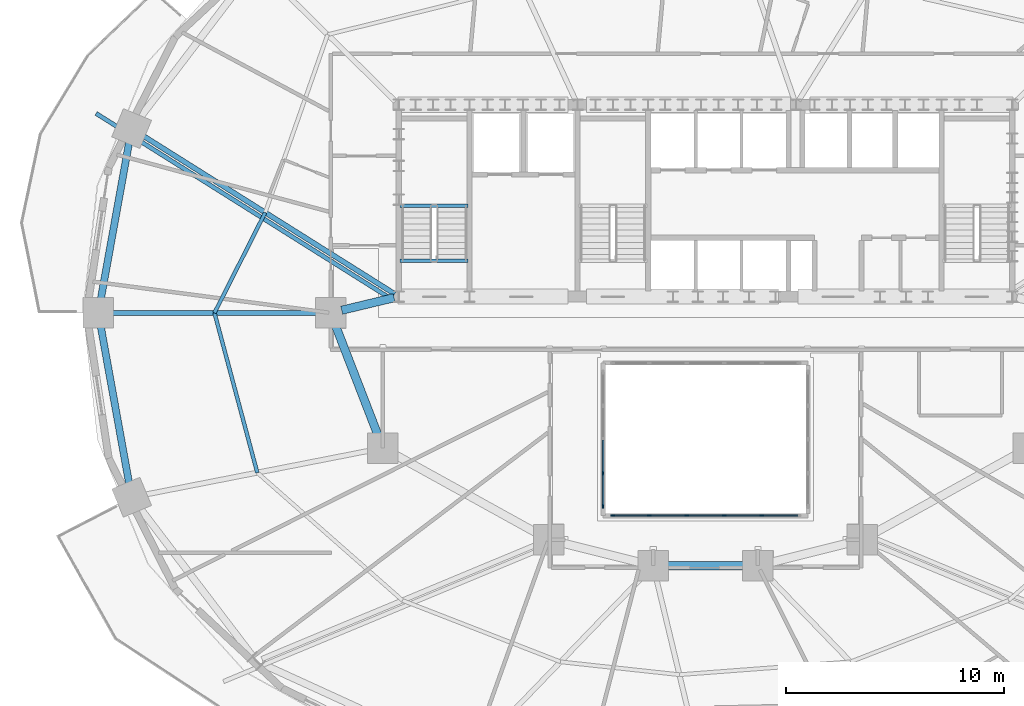
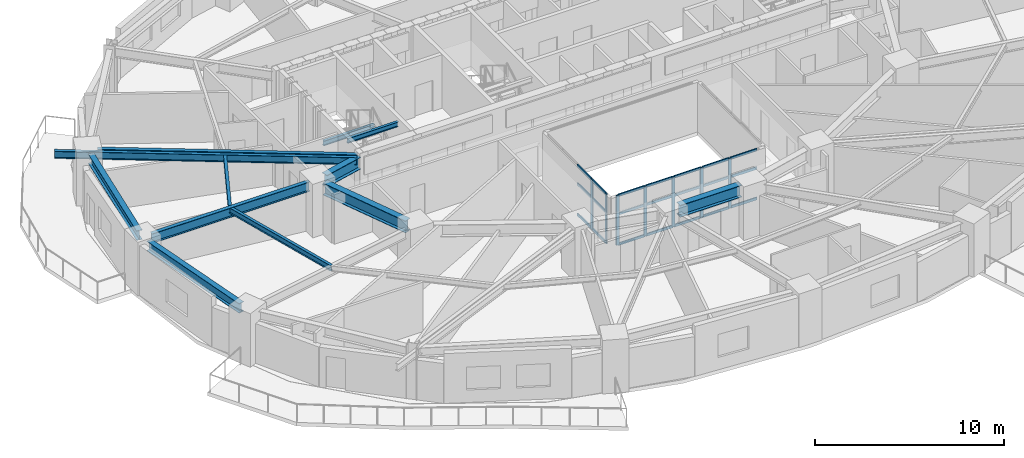
# One storey, part 3 of 16: 28 members, 12 beams, 2 elements without a shape of their own.
"""IFC4 building model written with IfcOpenShell, lengths in metres."""

from ifc_helpers import new_model, si_unit, direction, frame, origin, origin_2d, place, context, subcontext, project, spatial, rectangle, i_section, extrude, material, material_profile, profile_set, type_object, element, aggregate, save


model = new_model("IFC4")

# Units and contexts
model_context = context("Model", 3, precision=1e-05, world=origin(), true_north=direction((0.0, 1.0)))
body_context = subcontext(model_context, "Body", "Model", "MODEL_VIEW")
ifc_project = project(units=[si_unit("LENGTHUNIT", "METRE"), si_unit("AREAUNIT", "SQUARE_METRE"), si_unit("VOLUMEUNIT", "CUBIC_METRE"), si_unit("PLANEANGLEUNIT", "RADIAN"), si_unit("MASSUNIT", "GRAM", prefix="KILO")], contexts=[model_context])

# Site, building, storey
site_placement = place(None, origin())
site = spatial("IfcSite", under=ifc_project, at=site_placement, CompositionType="ELEMENT")
building_placement = place(site_placement, origin())
building = spatial("IfcBuilding", under=site, at=building_placement, Name="Haldorwick Loom Tower", CompositionType="ELEMENT")
storey_placement = place(building_placement, frame((0.0, 0.0, 88.699951171875)))
storey = spatial("IfcBuildingStorey", under=building, at=storey_placement, Name="L23", CompositionType="ELEMENT", Elevation=88.699951171875)

# Curtain wall, members
ifc_material_1 = material(Name="Thermally Broken Anodized Aluminium Curtain Wall Framing", Category="aluminium")
curtain_wall_type = type_object("IfcCurtainWallType", Name="ARC-CW-03", PredefinedType="NOTDEFINED", material=ifc_material_1)
curtain_wall_1_placement = place(storey_placement, origin())
curtain_wall_1 = element("IfcCurtainWall", 1, at=curtain_wall_1_placement, inside=storey, type_object=curtain_wall_type, Name="L23 Atrium Glazed Screen S", PredefinedType="NOTDEFINED")
ifc_material_profile_1 = material_profile(ifc_material_1, rectangle(XDim=0.06591796875, YDim=0.18505859375, at=origin_2d()), Name="ALU_MUL_66X185", Category="aluminium")
ifc_profile_set_1 = profile_set([ifc_material_profile_1], Name="Thermally Broken Anodized Aluminium Curtain Wall Framing")
member_type_1 = type_object("IfcMemberType", Name="ARC-CWM-03", PredefinedType="MULLION", material=ifc_profile_set_1)
member_1_placement = place(storey_placement, frame((38.580078125, 16.699951171875, 0.0), z_axis=(0.0, 0.0, 1.0), x_axis=(0.0, -1.0, 0.0)))
member_1 = element("IfcMember", 2, at=member_1_placement, type_object=member_type_1, Name="CW-03 mullion 2", PredefinedType="MULLION", context=body_context, shape_type="SweptSolid", body=[
    extrude(rectangle(XDim=0.06591796875, YDim=0.18505859375, at=origin_2d()), origin(), (0.0, 0.0, 1.0), 3.2099609375),
])
member_2_placement = place(storey_placement, frame((36.860107421875, 16.699951171875, 0.0), z_axis=(0.0, 0.0, 1.0), x_axis=(0.0, -1.0, 0.0)))
member_2 = element("IfcMember", 3, at=member_2_placement, type_object=member_type_1, Name="CW-03 mullion 3", PredefinedType="MULLION", context=body_context, shape_type="SweptSolid", body=[
    extrude(rectangle(XDim=0.06591796875, YDim=0.18505859375, at=origin_2d()), origin(), (0.0, 0.0, 1.0), 3.2099609375),
])
member_3_placement = place(storey_placement, frame((35.139892578125, 16.699951171875, 0.0), z_axis=(0.0, 0.0, 1.0), x_axis=(0.0, -1.0, 0.0)))
member_3 = element("IfcMember", 4, at=member_3_placement, type_object=member_type_1, Name="CW-03 mullion 4", PredefinedType="MULLION", context=body_context, shape_type="SweptSolid", body=[
    extrude(rectangle(XDim=0.06591796875, YDim=0.18505859375, at=origin_2d()), origin(), (0.0, 0.0, 1.0), 3.2099609375),
])
member_4_placement = place(storey_placement, frame((33.419921875, 16.699951171875, 0.0), z_axis=(0.0, 0.0, 1.0), x_axis=(0.0, -1.0, 0.0)))
member_4 = element("IfcMember", 5, at=member_4_placement, type_object=member_type_1, Name="CW-03 mullion 5", PredefinedType="MULLION", context=body_context, shape_type="SweptSolid", body=[
    extrude(rectangle(XDim=0.06591796875, YDim=0.18505859375, at=origin_2d()), origin(), (0.0, 0.0, 1.0), 3.2099609375),
])
member_5_placement = place(storey_placement, frame((31.73291015625, 16.699951171875, 0.0), z_axis=(0.0, 0.0, 1.0), x_axis=(0.0, -1.0, 0.0)))
member_5 = element("IfcMember", 6, at=member_5_placement, type_object=member_type_1, Name="CW-03 mullion 6", PredefinedType="MULLION", context=body_context, shape_type="SweptSolid", body=[
    extrude(rectangle(XDim=0.06591796875, YDim=0.18505859375, at=origin_2d()), origin(), (0.0, 0.0, 1.0), 3.2099609375),
])

curtain_wall_2_placement = place(storey_placement, origin())
curtain_wall_2 = element("IfcCurtainWall", 7, at=curtain_wall_2_placement, inside=storey, type_object=curtain_wall_type, Name="L23 Atrium Glazed Screen W", PredefinedType="NOTDEFINED")
member_6_placement = place(storey_placement, frame((31.300048828125, 17.133056640625, 0.0), z_axis=(0.0, 0.0, 1.0), x_axis=(-1.0, 0.0, 0.0)))
member_6 = element("IfcMember", 8, at=member_6_placement, type_object=member_type_1, Name="CW-03 mullion 1", PredefinedType="MULLION", context=body_context, shape_type="SweptSolid", body=[
    extrude(rectangle(XDim=0.06591796875, YDim=0.18505859375, at=origin_2d()), origin(), (0.0, 0.0, 1.0), 3.2099609375),
])
member_7_placement = place(storey_placement, frame((31.300048828125, 18.64990234375, 0.0), z_axis=(0.0, 0.0, 1.0), x_axis=(-1.0, 0.0, 0.0)))
member_7 = element("IfcMember", 9, at=member_7_placement, type_object=member_type_1, Name="CW-03 mullion 2", PredefinedType="MULLION", context=body_context, shape_type="SweptSolid", body=[
    extrude(rectangle(XDim=0.06591796875, YDim=0.18505859375, at=origin_2d()), origin(), (0.0, 0.0, 1.0), 3.2099609375),
])

# Member
ifc_material_profile_2 = material_profile(ifc_material_1, rectangle(XDim=0.06591796875, YDim=0.1650390625, at=origin_2d()), Name="ALU_TRN_66X165", Category="aluminium")
ifc_profile_set_2 = profile_set([ifc_material_profile_2], Name="Thermally Broken Anodized Aluminium Curtain Wall Framing")
member_type_2 = type_object("IfcMemberType", Name="ARC-CWT-03", PredefinedType="USERDEFINED", material=ifc_profile_set_2)
member_8_placement = place(storey_placement, frame((40.23388671875, 16.699951171875, 0.032958984375), z_axis=(-1.0, 0.0, 0.0), x_axis=(0.0, -1.0, 0.0)))
member_8 = element("IfcMember", 10, at=member_8_placement, type_object=member_type_2, Name="CW-03 transom 1.1", ObjectType="TRANSOM", PredefinedType="USERDEFINED", context=body_context, shape_type="SweptSolid", body=[
    extrude(rectangle(XDim=0.06591796875, YDim=0.1650390625, at=origin_2d()), origin(), (0.0, 0.0, 1.0), 1.620849609375),
])

member_9_placement = place(storey_placement, frame((40.23388671875, 16.699951171875, 2.0), z_axis=(-1.0, 0.0, 0.0), x_axis=(0.0, -1.0, 0.0)))
member_9 = element("IfcMember", 11, at=member_9_placement, type_object=member_type_2, Name="CW-03 transom 1.2", ObjectType="TRANSOM", PredefinedType="USERDEFINED", context=body_context, shape_type="SweptSolid", body=[
    extrude(rectangle(XDim=0.06591796875, YDim=0.1650390625, at=origin_2d()), origin(), (0.0, 0.0, 1.0), 1.620849609375),
])

member_10_placement = place(storey_placement, frame((40.23388671875, 16.699951171875, 3.177001953125), z_axis=(-1.0, 0.0, 0.0), x_axis=(0.0, -1.0, 0.0)))
member_10 = element("IfcMember", 12, at=member_10_placement, type_object=member_type_2, Name="CW-03 transom 1.3", ObjectType="TRANSOM", PredefinedType="USERDEFINED", context=body_context, shape_type="SweptSolid", body=[
    extrude(rectangle(XDim=0.06591796875, YDim=0.1650390625, at=origin_2d()), origin(), (0.0, 0.0, 1.0), 1.620849609375),
])

member_11_placement = place(storey_placement, frame((38.547119140625, 16.699951171875, 0.032958984375), z_axis=(-1.0, 0.0, 0.0), x_axis=(0.0, -1.0, 0.0)))
member_11 = element("IfcMember", 13, at=member_11_placement, type_object=member_type_2, Name="CW-03 transom 2.1", ObjectType="TRANSOM", PredefinedType="USERDEFINED", context=body_context, shape_type="SweptSolid", body=[
    extrude(rectangle(XDim=0.06591796875, YDim=0.1650390625, at=origin_2d()), origin(), (0.0, 0.0, 1.0), 1.654052734375),
])

member_12_placement = place(storey_placement, frame((38.547119140625, 16.699951171875, 2.0), z_axis=(-1.0, 0.0, 0.0), x_axis=(0.0, -1.0, 0.0)))
member_12 = element("IfcMember", 14, at=member_12_placement, type_object=member_type_2, Name="CW-03 transom 2.2", ObjectType="TRANSOM", PredefinedType="USERDEFINED", context=body_context, shape_type="SweptSolid", body=[
    extrude(rectangle(XDim=0.06591796875, YDim=0.1650390625, at=origin_2d()), origin(), (0.0, 0.0, 1.0), 1.654052734375),
])

member_13_placement = place(storey_placement, frame((38.547119140625, 16.699951171875, 3.177001953125), z_axis=(-1.0, 0.0, 0.0), x_axis=(0.0, -1.0, 0.0)))
member_13 = element("IfcMember", 15, at=member_13_placement, type_object=member_type_2, Name="CW-03 transom 2.3", ObjectType="TRANSOM", PredefinedType="USERDEFINED", context=body_context, shape_type="SweptSolid", body=[
    extrude(rectangle(XDim=0.06591796875, YDim=0.1650390625, at=origin_2d()), origin(), (0.0, 0.0, 1.0), 1.654052734375),
])

member_14_placement = place(storey_placement, frame((36.826904296875, 16.699951171875, 0.032958984375), z_axis=(-1.0, 0.0, 0.0), x_axis=(0.0, -1.0, 0.0)))
member_14 = element("IfcMember", 16, at=member_14_placement, type_object=member_type_2, Name="CW-03 transom 3.1", ObjectType="TRANSOM", PredefinedType="USERDEFINED", context=body_context, shape_type="SweptSolid", body=[
    extrude(rectangle(XDim=0.06591796875, YDim=0.1650390625, at=origin_2d()), origin(), (0.0, 0.0, 1.0), 1.65380859375),
])

member_15_placement = place(storey_placement, frame((36.826904296875, 16.699951171875, 2.0), z_axis=(-1.0, 0.0, 0.0), x_axis=(0.0, -1.0, 0.0)))
member_15 = element("IfcMember", 17, at=member_15_placement, type_object=member_type_2, Name="CW-03 transom 3.2", ObjectType="TRANSOM", PredefinedType="USERDEFINED", context=body_context, shape_type="SweptSolid", body=[
    extrude(rectangle(XDim=0.06591796875, YDim=0.1650390625, at=origin_2d()), origin(), (0.0, 0.0, 1.0), 1.65380859375),
])

member_16_placement = place(storey_placement, frame((36.826904296875, 16.699951171875, 3.177001953125), z_axis=(-1.0, 0.0, 0.0), x_axis=(0.0, -1.0, 0.0)))
member_16 = element("IfcMember", 18, at=member_16_placement, type_object=member_type_2, Name="CW-03 transom 3.3", ObjectType="TRANSOM", PredefinedType="USERDEFINED", context=body_context, shape_type="SweptSolid", body=[
    extrude(rectangle(XDim=0.06591796875, YDim=0.1650390625, at=origin_2d()), origin(), (0.0, 0.0, 1.0), 1.65380859375),
])

member_17_placement = place(storey_placement, frame((35.10693359375, 16.699951171875, 0.032958984375), z_axis=(-1.0, 0.0, 0.0), x_axis=(0.0, -1.0, 0.0)))
member_17 = element("IfcMember", 19, at=member_17_placement, type_object=member_type_2, Name="CW-03 transom 4.1", ObjectType="TRANSOM", PredefinedType="USERDEFINED", context=body_context, shape_type="SweptSolid", body=[
    extrude(rectangle(XDim=0.06591796875, YDim=0.1650390625, at=origin_2d()), origin(), (0.0, 0.0, 1.0), 1.654052734375),
])

member_18_placement = place(storey_placement, frame((35.10693359375, 16.699951171875, 2.0), z_axis=(-1.0, 0.0, 0.0), x_axis=(0.0, -1.0, 0.0)))
member_18 = element("IfcMember", 20, at=member_18_placement, type_object=member_type_2, Name="CW-03 transom 4.2", ObjectType="TRANSOM", PredefinedType="USERDEFINED", context=body_context, shape_type="SweptSolid", body=[
    extrude(rectangle(XDim=0.06591796875, YDim=0.1650390625, at=origin_2d()), origin(), (0.0, 0.0, 1.0), 1.654052734375),
])

member_19_placement = place(storey_placement, frame((35.10693359375, 16.699951171875, 3.177001953125), z_axis=(-1.0, 0.0, 0.0), x_axis=(0.0, -1.0, 0.0)))
member_19 = element("IfcMember", 21, at=member_19_placement, type_object=member_type_2, Name="CW-03 transom 4.3", ObjectType="TRANSOM", PredefinedType="USERDEFINED", context=body_context, shape_type="SweptSolid", body=[
    extrude(rectangle(XDim=0.06591796875, YDim=0.1650390625, at=origin_2d()), origin(), (0.0, 0.0, 1.0), 1.654052734375),
])

member_20_placement = place(storey_placement, frame((33.386962890625, 16.699951171875, 0.032958984375), z_axis=(-1.0, 0.0, 0.0), x_axis=(0.0, -1.0, 0.0)))
member_20 = element("IfcMember", 22, at=member_20_placement, type_object=member_type_2, Name="CW-03 transom 5.1", ObjectType="TRANSOM", PredefinedType="USERDEFINED", context=body_context, shape_type="SweptSolid", body=[
    extrude(rectangle(XDim=0.06591796875, YDim=0.1650390625, at=origin_2d()), origin(), (0.0, 0.0, 1.0), 1.620849609375),
])

member_21_placement = place(storey_placement, frame((33.386962890625, 16.699951171875, 2.0), z_axis=(-1.0, 0.0, 0.0), x_axis=(0.0, -1.0, 0.0)))
member_21 = element("IfcMember", 23, at=member_21_placement, type_object=member_type_2, Name="CW-03 transom 5.2", ObjectType="TRANSOM", PredefinedType="USERDEFINED", context=body_context, shape_type="SweptSolid", body=[
    extrude(rectangle(XDim=0.06591796875, YDim=0.1650390625, at=origin_2d()), origin(), (0.0, 0.0, 1.0), 1.620849609375),
])

member_22_placement = place(storey_placement, frame((33.386962890625, 16.699951171875, 3.177001953125), z_axis=(-1.0, 0.0, 0.0), x_axis=(0.0, -1.0, 0.0)))
member_22 = element("IfcMember", 24, at=member_22_placement, type_object=member_type_2, Name="CW-03 transom 5.3", ObjectType="TRANSOM", PredefinedType="USERDEFINED", context=body_context, shape_type="SweptSolid", body=[
    extrude(rectangle(XDim=0.06591796875, YDim=0.1650390625, at=origin_2d()), origin(), (0.0, 0.0, 1.0), 1.620849609375),
])

aggregate(curtain_wall_1, [member_1, member_2, member_3, member_4, member_5, member_8, member_9, member_10, member_11, member_12, member_13, member_14, member_15, member_16, member_17, member_18, member_19, member_20, member_21, member_22])

member_23_placement = place(storey_placement, frame((31.300048828125, 17.166015625, 0.032958984375), z_axis=(0.0, 1.0, 0.0), x_axis=(-1.0, 0.0, 0.0)))
member_23 = element("IfcMember", 25, at=member_23_placement, type_object=member_type_2, Name="CW-03 transom 1.1", ObjectType="TRANSOM", PredefinedType="USERDEFINED", context=body_context, shape_type="SweptSolid", body=[
    extrude(rectangle(XDim=0.06591796875, YDim=0.1650390625, at=origin_2d()), origin(), (0.0, 0.0, 1.0), 1.450927734375),
])

member_24_placement = place(storey_placement, frame((31.300048828125, 17.166015625, 2.0), z_axis=(0.0, 1.0, 0.0), x_axis=(-1.0, 0.0, 0.0)))
member_24 = element("IfcMember", 26, at=member_24_placement, type_object=member_type_2, Name="CW-03 transom 1.2", ObjectType="TRANSOM", PredefinedType="USERDEFINED", context=body_context, shape_type="SweptSolid", body=[
    extrude(rectangle(XDim=0.06591796875, YDim=0.1650390625, at=origin_2d()), origin(), (0.0, 0.0, 1.0), 1.450927734375),
])

member_25_placement = place(storey_placement, frame((31.300048828125, 17.166015625, 3.177001953125), z_axis=(0.0, 1.0, 0.0), x_axis=(-1.0, 0.0, 0.0)))
member_25 = element("IfcMember", 27, at=member_25_placement, type_object=member_type_2, Name="CW-03 transom 1.3", ObjectType="TRANSOM", PredefinedType="USERDEFINED", context=body_context, shape_type="SweptSolid", body=[
    extrude(rectangle(XDim=0.06591796875, YDim=0.1650390625, at=origin_2d()), origin(), (0.0, 0.0, 1.0), 1.450927734375),
])

member_26_placement = place(storey_placement, frame((31.300048828125, 18.68310546875, 0.032958984375), z_axis=(0.0, 1.0, 0.0), x_axis=(-1.0, 0.0, 0.0)))
member_26 = element("IfcMember", 28, at=member_26_placement, type_object=member_type_2, Name="CW-03 transom 2.1", ObjectType="TRANSOM", PredefinedType="USERDEFINED", context=body_context, shape_type="SweptSolid", body=[
    extrude(rectangle(XDim=0.06591796875, YDim=0.1650390625, at=origin_2d()), origin(), (0.0, 0.0, 1.0), 1.48388671875),
])

member_27_placement = place(storey_placement, frame((31.300048828125, 18.68310546875, 2.0), z_axis=(0.0, 1.0, 0.0), x_axis=(-1.0, 0.0, 0.0)))
member_27 = element("IfcMember", 29, at=member_27_placement, type_object=member_type_2, Name="CW-03 transom 2.2", ObjectType="TRANSOM", PredefinedType="USERDEFINED", context=body_context, shape_type="SweptSolid", body=[
    extrude(rectangle(XDim=0.06591796875, YDim=0.1650390625, at=origin_2d()), origin(), (0.0, 0.0, 1.0), 1.48388671875),
])

member_28_placement = place(storey_placement, frame((31.300048828125, 18.68310546875, 3.177001953125), z_axis=(0.0, 1.0, 0.0), x_axis=(-1.0, 0.0, 0.0)))
member_28 = element("IfcMember", 30, at=member_28_placement, type_object=member_type_2, Name="CW-03 transom 2.3", ObjectType="TRANSOM", PredefinedType="USERDEFINED", context=body_context, shape_type="SweptSolid", body=[
    extrude(rectangle(XDim=0.06591796875, YDim=0.1650390625, at=origin_2d()), origin(), (0.0, 0.0, 1.0), 1.48388671875),
])

aggregate(curtain_wall_2, [member_6, member_7, member_23, member_24, member_25, member_26, member_27, member_28])

# Beams
ifc_material_2 = material(Name="Steel CSA G40.21 350W", Category="steel")
ifc_material_profile_3 = material_profile(ifc_material_2, i_section(OverallWidth=0.193115234375, OverallDepth=0.466064453125, WebThickness=0.011474609375, FlangeThickness=0.01904296875, at=origin_2d()), Name="W460X97", Category="steel")
ifc_profile_set_3 = profile_set([ifc_material_profile_3], Name="Steel CSA G40.21 350W")
beam_type_1 = type_object("IfcBeamType", Name="STR-BM-BAL460", PredefinedType="BEAM", material=ifc_profile_set_3)
beam_1_placement = place(storey_placement, frame((21.590576171875, 26.6328125, 2.97705078125), z_axis=(-0.846621037802, 0.532196221662, 0.0), x_axis=(-0.532196221662, -0.846621037802, 0.0)))
element("IfcBeam", 31, at=beam_1_placement, inside=storey, type_object=beam_type_1, Name="L23 Continuous Back-Spanned Balcony Beam 3", PredefinedType="BEAM", context=body_context, shape_type="SweptSolid", body=[
    extrude(i_section(OverallWidth=0.193115234375, OverallDepth=0.466064453125, WebThickness=0.011474609375, FlangeThickness=0.01904296875, at=origin_2d()), origin(), (0.0, 0.0, 1.0), 16.0068359375),
])
ifc_material_profile_4 = material_profile(ifc_material_2, i_section(OverallWidth=0.172119140625, OverallDepth=0.35791015625, WebThickness=0.0078125, FlangeThickness=0.01318359375, at=origin_2d()), Name="W360X57", Category="steel")
ifc_profile_set_4 = profile_set([ifc_material_profile_4], Name="Steel CSA G40.21 350W")
beam_type_2 = type_object("IfcBeamType", Name="STR-BM-J360", PredefinedType="JOIST", material=ifc_profile_set_4)
beam_2_placement = place(storey_placement, frame((15.7998046875, 30.603515625, 3.031005859375), z_axis=(-0.451373231558, -0.892335254169, 0.0), x_axis=(0.892335254169, -0.451373231558, 0.0)))
element("IfcBeam", 32, at=beam_2_placement, inside=storey, type_object=beam_type_2, Name="L23 Mid-Bay Secondary Joist 8", PredefinedType="JOIST", context=body_context, shape_type="SweptSolid", body=[
    extrude(i_section(OverallWidth=0.172119140625, OverallDepth=0.35791015625, WebThickness=0.0078125, FlangeThickness=0.01318359375, at=origin_2d()), origin(), (0.0, 0.0, 1.0), 5.158935546875),
])
beam_3_placement = place(storey_placement, frame((13.47119140625, 26.0, 3.031005859375), z_axis=(0.258810072536, -0.965928230436, 0.0), x_axis=(0.965928230436, 0.258810072536, 0.0)))
element("IfcBeam", 33, at=beam_3_placement, inside=storey, type_object=beam_type_2, Name="L23 Mid-Bay Secondary Joist 9", PredefinedType="JOIST", context=body_context, shape_type="SweptSolid", body=[
    extrude(i_section(OverallWidth=0.172119140625, OverallDepth=0.35791015625, WebThickness=0.0078125, FlangeThickness=0.01318359375, at=origin_2d()), origin(), (0.0, 0.0, 1.0), 7.587158203125),
])
ifc_material_profile_5 = material_profile(ifc_material_2, i_section(OverallWidth=0.324951171875, OverallDepth=0.615966796875, WebThickness=0.013916015625, FlangeThickness=0.021484375, at=origin_2d()), Name="W610X174", Category="steel")
ifc_profile_set_5 = profile_set([ifc_material_profile_5], Name="Steel CSA G40.21 350W")
beam_type_3 = type_object("IfcBeamType", Name="STR-BM-SP610", PredefinedType="SPANDREL", material=ifc_profile_set_5)
for number, where, z_axis, x_axis, name in (
    (34, (9.576904296875, 33.945556640625, 2.902099609375), (-0.177659490888, -0.984092020747, 0.0), (0.984092020747, -0.177659490888, 0.0), "L23 Perimeter Spandrel 8"),
    (35, (8.23486328125, 25.48828125, 2.902099609375), (0.177659490888, -0.984092020747, 0.0), (0.984092020747, 0.177659490888, 0.0), "L23 Perimeter Spandrel 9"),
):
    element("IfcBeam", number, at=place(storey_placement, frame(where, z_axis=z_axis, x_axis=x_axis)), inside=storey, type_object=beam_type_3, Name=name, PredefinedType="SPANDREL", context=body_context, shape_type="SweptSolid", body=[
        extrude(i_section(OverallWidth=0.324951171875, OverallDepth=0.615966796875, WebThickness=0.013916015625, FlangeThickness=0.021484375, at=origin_2d()), origin(), (0.0, 0.0, 1.0), 7.553955078125),
    ])
ifc_material_profile_6 = material_profile(ifc_material_2, i_section(OverallWidth=0.166015625, OverallDepth=0.31298828125, WebThickness=0.006591796875, FlangeThickness=0.01123046875, at=origin_2d()), Name="W310X45", Category="steel")
ifc_profile_set_6 = profile_set([ifc_material_profile_6], Name="Steel CSA G40.21 350W")
beam_type_4 = type_object("IfcBeamType", Name="STR-BM-STRM", PredefinedType="BEAM", material=ifc_profile_set_6)
for number, where, z_axis, x_axis, name in (
    (36, (21.989990234375, 28.39990234375, 3.053466796875), (1.0, 0.0, 0.0), (0.0, 1.0, 0.0), "L23 Stair ST-01 Landing Edge Trimmer"),
    (37, (21.989990234375, 30.919921875, 1.36865234375), (1.0, 0.0, 0.0), (0.0, 1.0, 0.0), "L23 Stair ST-01 Half-Landing Trimmer 1"),
):
    element("IfcBeam", number, at=place(storey_placement, frame(where, z_axis=z_axis, x_axis=x_axis)), inside=storey, type_object=beam_type_4, Name=name, PredefinedType="BEAM", context=body_context, shape_type="SweptSolid", body=[
        extrude(i_section(OverallWidth=0.166015625, OverallDepth=0.31298828125, WebThickness=0.006591796875, FlangeThickness=0.01123046875, at=origin_2d()), origin(), (0.0, 0.0, 1.0), 3.1201171875),
    ])
ifc_material_profile_7 = material_profile(ifc_material_2, i_section(OverallWidth=0.22998046875, OverallDepth=0.616943359375, WebThickness=0.01318359375, FlangeThickness=0.022216796875, at=origin_2d()), Name="W610X140", Category="steel")
ifc_profile_set_7 = profile_set([ifc_material_profile_7], Name="Steel CSA G40.21 350W")
beam_type_5 = type_object("IfcBeamType", Name="STR-BM-W610B", PredefinedType="BEAM", material=ifc_profile_set_7)
beam_4_placement = place(storey_placement, frame((21.739501953125, 26.86962890625, 2.901611328125), z_axis=(-0.846609551433, 0.532214493811, 0.0), x_axis=(-0.532214493811, -0.846609551433, 0.0)))
element("IfcBeam", 38, at=beam_4_placement, inside=storey, type_object=beam_type_5, Name="L23 Radial Floor Girder 8", PredefinedType="BEAM", context=body_context, shape_type="SweptSolid", body=[
    extrude(i_section(OverallWidth=0.22998046875, OverallDepth=0.616943359375, WebThickness=0.01318359375, FlangeThickness=0.022216796875, at=origin_2d()), origin(), (0.0, 0.0, 1.0), 13.737060546875),
])
beam_5_placement = place(storey_placement, frame((18.280029296875, 26.0, 2.901611328125), z_axis=(-1.0, 0.0, 0.0), x_axis=(0.0, -1.0, 0.0)))
element("IfcBeam", 39, at=beam_5_placement, inside=storey, type_object=beam_type_5, Name="L23 Radial Floor Girder 9", PredefinedType="BEAM", context=body_context, shape_type="SweptSolid", body=[
    extrude(i_section(OverallWidth=0.22998046875, OverallDepth=0.616943359375, WebThickness=0.01318359375, FlangeThickness=0.022216796875, at=origin_2d()), origin(), (0.0, 0.0, 1.0), 9.61767578125),
])
ifc_material_profile_8 = material_profile(ifc_material_2, i_section(OverallWidth=0.381103515625, OverallDepth=0.77294921875, WebThickness=0.0166015625, FlangeThickness=0.027587890625, at=origin_2d()), Name="W760X257", Category="steel")
ifc_profile_set_8 = profile_set([ifc_material_profile_8], Name="Steel CSA G40.21 350W")
beam_type_6 = type_object("IfcBeamType", Name="STR-BM-W760", PredefinedType="BEAM", material=ifc_profile_set_8)
beam_6_placement = place(storey_placement, frame((37.8798828125, 14.39990234375, 2.823486328125), z_axis=(-1.0, 0.0, 0.0), x_axis=(0.0, -1.0, 0.0)))
element("IfcBeam", 40, at=beam_6_placement, inside=storey, type_object=beam_type_6, Name="L23 Inner Ring Girder 5", PredefinedType="BEAM", context=body_context, shape_type="SweptSolid", body=[
    extrude(i_section(OverallWidth=0.381103515625, OverallDepth=0.77294921875, WebThickness=0.0166015625, FlangeThickness=0.027587890625, at=origin_2d()), origin(), (0.0, 0.0, 1.0), 3.759765625),
])
beam_7_placement = place(storey_placement, frame((21.01220703125, 20.284912109375, 2.823486328125), z_axis=(-0.360964792353, 0.93257944363, 0.0), x_axis=(-0.93257944363, -0.360964792353, 0.0)))
element("IfcBeam", 41, at=beam_7_placement, inside=storey, type_object=beam_type_6, Name="L23 Inner Ring Girder 8", PredefinedType="BEAM", context=body_context, shape_type="SweptSolid", body=[
    extrude(i_section(OverallWidth=0.381103515625, OverallDepth=0.77294921875, WebThickness=0.0166015625, FlangeThickness=0.027587890625, at=origin_2d()), origin(), (0.0, 0.0, 1.0), 5.6083984375),
])
beam_8_placement = place(storey_placement, frame((19.3056640625, 26.12109375, 2.823486328125), z_axis=(0.97247055837, 0.233025777764, 0.0), x_axis=(-0.233025777764, 0.97247055837, 0.0)))
element("IfcBeam", 42, at=beam_8_placement, inside=storey, type_object=beam_type_6, Name="L23 Inner Ring Girder 9", PredefinedType="BEAM", context=body_context, shape_type="SweptSolid", body=[
    extrude(i_section(OverallWidth=0.381103515625, OverallDepth=0.77294921875, WebThickness=0.0166015625, FlangeThickness=0.027587890625, at=origin_2d()), origin(), (0.0, 0.0, 1.0), 2.4736328125),
])

save(model, "model.ifc")
